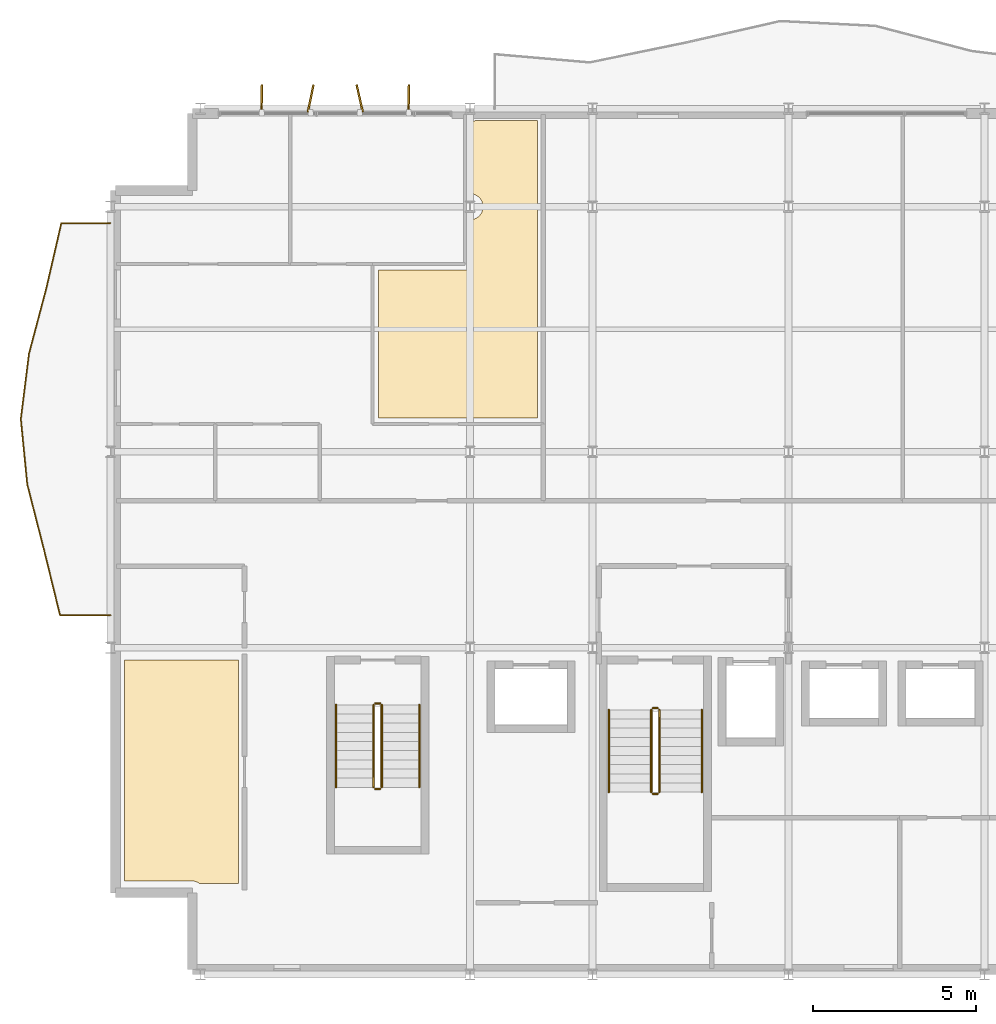
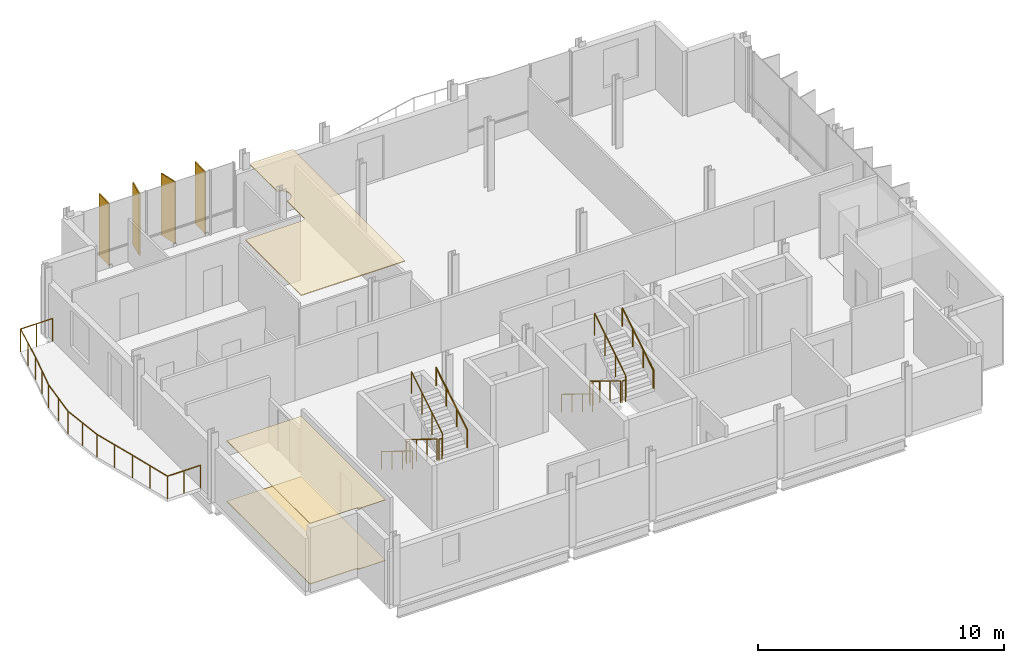
# One storey, part 11 of 12: 13 railings, 4 shading devices, 3 coverings.
"""IFC4 building model written with IfcOpenShell, lengths in metres."""

from ifc_helpers import new_model, si_unit, direction, frame, origin, origin_2d, place, context, subcontext, project, spatial, polyline, rectangle, circle, outline, extrude, material, layer, layer_set, type_object, element, save


model = new_model("IFC4")

# Units and contexts
model_context = context("Model", 3, precision=1e-05, world=origin(), true_north=direction((0.0, 1.0)))
body_context = subcontext(model_context, "Body", "Model", "MODEL_VIEW")
ifc_project = project(units=[si_unit("LENGTHUNIT", "METRE"), si_unit("AREAUNIT", "SQUARE_METRE"), si_unit("VOLUMEUNIT", "CUBIC_METRE"), si_unit("PLANEANGLEUNIT", "RADIAN"), si_unit("MASSUNIT", "GRAM", prefix="KILO")], contexts=[model_context])

# Site, building, storey
site_placement = place(None, origin())
site = spatial("IfcSite", under=ifc_project, at=site_placement, CompositionType="ELEMENT")
building_placement = place(site_placement, origin())
building = spatial("IfcBuilding", under=site, at=building_placement, Name="Brevholm Reach", CompositionType="ELEMENT")
storey_placement = place(building_placement, frame((0.0, 0.0, 236.60009765625)))
storey = spatial("IfcBuildingStorey", under=building, at=storey_placement, Name="L72", CompositionType="ELEMENT", Elevation=236.60009765625)

# Coverings
ifc_material_1 = material(Name="Perforated Mineral-Fibre Class-A Acoustic Suspended Ceiling", Category="gypsum")
ifc_layer_1 = layer(ifc_material_1, 0.044921875)
ifc_layer_set_1 = layer_set([ifc_layer_1], Name="Perforated Mineral-Fibre Class-A Acoustic Suspended Ceiling")
covering_type_1 = type_object("IfcCoveringType", Name="COV-CLG-AC", PredefinedType="CEILING", material=ifc_layer_set_1)
covering_1_placement = place(storey_placement, frame((0.0, 0.0, 2.98486328125)))
element("IfcCovering", 1, at=covering_1_placement, inside=storey, type_object=covering_type_1, Name="L72 Suspended Ceiling L72-26", PredefinedType="CEILING", context=body_context, shape_type="SweptSolid", body=[
    extrude(outline(polyline([(35.447021484375, 17.030029296875), (35.447021484375, 21.566162109375), (38.1025390625, 21.56689453125), (38.1201171875, 21.56787109375), (38.1376953125, 21.5703125), (38.15478515625, 21.57470703125), (38.17138671875, 21.58056640625), (38.1875, 21.588134765625), (38.202392578125, 21.59716796875), (38.216796875, 21.60791015625), (38.229736328125, 21.61962890625), (38.24169921875, 21.6328125), (38.252197265625, 21.64697265625), (38.26123046875, 21.662109375), (38.268798828125, 21.677978515625), (38.274658203125, 21.694580078125), (38.279052734375, 21.711669921875), (38.281494140625, 21.729248046875), (38.282470703125, 21.746826171875), (38.282958984375, 23.1015625), (38.289306640625, 23.101806640625), (38.327880859375, 23.107666015625), (38.3662109375, 23.1171875), (38.403076171875, 23.13037109375), (38.438720703125, 23.147216796875), (38.47216796875, 23.16748046875), (38.50390625, 23.19091796875), (38.53271484375, 23.21728515625), (38.55908203125, 23.24609375), (38.58251953125, 23.27783203125), (38.602783203125, 23.311279296875), (38.61962890625, 23.346923828125), (38.6328125, 23.3837890625), (38.642333984375, 23.422119140625), (38.648193359375, 23.460693359375), (38.64990234375, 23.5), (38.648193359375, 23.539306640625), (38.642333984375, 23.577880859375), (38.6328125, 23.6162109375), (38.61962890625, 23.653076171875), (38.602783203125, 23.688720703125), (38.58251953125, 23.72216796875), (38.55908203125, 23.75390625), (38.53271484375, 23.78271484375), (38.50390625, 23.80908203125), (38.47216796875, 23.83251953125), (38.438720703125, 23.852783203125), (38.403076171875, 23.86962890625), (38.3662109375, 23.8828125), (38.327880859375, 23.892333984375), (38.289306640625, 23.898193359375), (38.283203125, 23.8984375), (38.283935546875, 26.101806640625), (38.289306640625, 26.101806640625), (38.327880859375, 26.107666015625), (38.3662109375, 26.1171875), (38.403076171875, 26.13037109375), (38.42333984375, 26.139892578125), (40.320068359375, 26.139892578125), (40.320068359375, 17.030029296875), (35.447021484375, 17.030029296875)])), origin(), (0.0, 0.0, 1.0), 0.044921875),
])
ifc_material_2 = material(Name="Moisture-Resistant Skimmed Gypsum Plasterboard Ceiling", Category="gypsum")
ifc_layer_2 = layer(ifc_material_2, 0.030029296875)
ifc_layer_set_2 = layer_set([ifc_layer_2], Name="Moisture-Resistant Skimmed Gypsum Plasterboard Ceiling")
covering_type_2 = type_object("IfcCoveringType", Name="COV-CLG-GYP", PredefinedType="CEILING", material=ifc_layer_set_2)
covering_2_placement = place(storey_placement, frame((0.0, 0.0, 3.0)))
element("IfcCovering", 2, at=covering_2_placement, inside=storey, type_object=covering_type_2, Name="L72 Suspended Ceiling L72-11", PredefinedType="CEILING", context=body_context, shape_type="SweptSolid", body=[
    extrude(outline(polyline([(31.166015625, 9.6201171875), (31.166015625, 2.780029296875), (29.9736328125, 2.780029296875), (29.94189453125, 2.803466796875), (29.92724609375, 2.81298828125), (29.911865234375, 2.821533203125), (29.8955078125, 2.828125), (29.845703125, 2.845947265625), (29.82470703125, 2.85205078125), (29.802978515625, 2.855712890625), (29.767822265625, 2.859130859375), (29.75, 2.860107421875), (27.679931640625, 2.860107421875), (27.679931640625, 9.6201171875), (31.166015625, 9.6201171875)])), origin(), (0.0, 0.0, 1.0), 0.02978515625),
])
ifc_material_3 = material(Name="Honed Portland-Aggregate Resin Terrazzo Flooring", Category="concrete")
ifc_layer_3 = layer(ifc_material_3, 0.031982421875)
ifc_layer_set_3 = layer_set([ifc_layer_3], Name="Honed Portland-Aggregate Resin Terrazzo Flooring")
covering_type_3 = type_object("IfcCoveringType", Name="COV-FLR-TRZ", PredefinedType="FLOORING", material=ifc_layer_set_3)
covering_3_placement = place(storey_placement, origin())
element("IfcCovering", 3, at=covering_3_placement, inside=storey, type_object=covering_type_3, Name="L72 Floor Finish L72-11", PredefinedType="FLOORING", context=body_context, shape_type="SweptSolid", body=[
    extrude(outline(polyline([(31.166015625, 9.6201171875), (31.166015625, 2.780029296875), (29.9736328125, 2.780029296875), (29.94189453125, 2.803466796875), (29.92724609375, 2.81298828125), (29.911865234375, 2.821533203125), (29.8955078125, 2.828125), (29.845703125, 2.845947265625), (29.82470703125, 2.85205078125), (29.802978515625, 2.855712890625), (29.767822265625, 2.859130859375), (29.75, 2.860107421875), (27.679931640625, 2.860107421875), (27.679931640625, 9.6201171875), (31.166015625, 9.6201171875)])), origin(), (0.0, 0.0, 1.0), 0.031982421875),
])

# Railings
ifc_material_4 = material(Name="Brushed Stainless Steel EN 1.4401 and Laminated Glass", Category="steel")
railing_type_1 = type_object("IfcRailingType", Name="RAL-BALC-1150", PredefinedType="BALUSTRADE", material=ifc_material_4)
railing_1_placement = place(storey_placement, frame((27.25, 23.0, 0.0)))
element("IfcRailing", 4, at=railing_1_placement, inside=storey, type_object=railing_type_1, Name="L72 Guard Balustrade RAL-L72-BAL-SLOT", PredefinedType="BALUSTRADE", context=body_context, shape_type="SweptSolid", body=[
    extrude(circle(Radius=0.02392578125, at=origin_2d()), frame((0.0, 0.0, 1.1259765625), z_axis=(-1.0, 0.0, 0.0), x_axis=(0.0, -1.0, 0.0)), (0.0, 0.0, 1.0), 1.5087890625),
    extrude(circle(Radius=0.02392578125, at=origin_2d()), frame((-1.5087890625, 0.0, 1.1259765625), z_axis=(-0.224468540195, -0.974481336129, 0.0), x_axis=(0.974481336129, -0.224468540195, 0.0)), (0.0, 0.0, 1.0), 2.052490234375),
    extrude(circle(Radius=0.02392578125, at=origin_2d()), frame((-1.969482421875, -2.0, 1.1259765625), z_axis=(-0.256281717568, -0.966602131821, 0.0), x_axis=(0.966602131821, -0.256281717568, 0.0)), (0.0, 0.0, 1.0), 2.069091796875),
    extrude(circle(Radius=0.02392578125, at=origin_2d()), frame((-2.499755859375, -4.0, 1.1259765625), z_axis=(-0.123676917918, -0.992322538278, 0.0), x_axis=(0.992322538278, -0.123676917918, 0.0)), (0.0, 0.0, 1.0), 2.015380859375),
    extrude(circle(Radius=0.02392578125, at=origin_2d()), frame((-2.7490234375, -6.0, 1.1259765625), z_axis=(0.097915884232, -0.995194694326, 0.0), x_axis=(0.995194694326, 0.097915884232, 0.0)), (0.0, 0.0, 1.0), 2.009765625),
    extrude(circle(Radius=0.02392578125, at=origin_2d()), frame((-2.55224609375, -8.0, 1.1259765625), z_axis=(0.248207490856, -0.968706891419, 0.0), x_axis=(0.968706891419, 0.248207490856, 0.0)), (0.0, 0.0, 1.0), 2.064697265625),
    extrude(circle(Radius=0.02392578125, at=origin_2d()), frame((-2.039794921875, -10.0, 1.1259765625), z_axis=(0.237734036491, -0.971330287747, 0.0), x_axis=(0.971330287747, 0.237734036491, 0.0)), (0.0, 0.0, 1.0), 2.05908203125),
    extrude(circle(Radius=0.02392578125, at=origin_2d()), frame((-1.55029296875, -12.0, 1.1259765625), z_axis=(1.0, 0.0, 0.0), x_axis=(0.0, 1.0, 0.0)), (0.0, 0.0, 1.0), 1.55029296875),
    extrude(circle(Radius=0.02099609375, at=origin_2d()), origin(), (0.0, 0.0, 1.0), 1.101806640625),
    extrude(circle(Radius=0.02099609375, at=origin_2d()), frame((-0.75439453125, 0.0, 0.0)), (0.0, 0.0, 1.0), 1.101806640625),
    extrude(circle(Radius=0.02099609375, at=origin_2d()), frame((-1.5087890625, 0.0, 0.0)), (0.0, 0.0, 1.0), 1.101806640625),
    extrude(circle(Radius=0.02099609375, at=origin_2d()), frame((-1.7392578125, -1.0, 0.0)), (0.0, 0.0, 1.0), 1.101806640625),
    extrude(circle(Radius=0.02099609375, at=origin_2d()), frame((-1.969482421875, -2.0, 0.0)), (0.0, 0.0, 1.0), 1.101806640625),
    extrude(circle(Radius=0.02099609375, at=origin_2d()), frame((-2.234619140625, -3.0, 0.0)), (0.0, 0.0, 1.0), 1.101806640625),
    extrude(circle(Radius=0.02099609375, at=origin_2d()), frame((-2.499755859375, -4.0, 0.0)), (0.0, 0.0, 1.0), 1.101806640625),
    extrude(circle(Radius=0.02099609375, at=origin_2d()), frame((-2.62451171875, -5.0, 0.0)), (0.0, 0.0, 1.0), 1.101806640625),
    extrude(circle(Radius=0.02099609375, at=origin_2d()), frame((-2.7490234375, -6.0, 0.0)), (0.0, 0.0, 1.0), 1.101806640625),
    extrude(circle(Radius=0.02099609375, at=origin_2d()), frame((-2.650634765625, -7.0, 0.0)), (0.0, 0.0, 1.0), 1.101806640625),
    extrude(circle(Radius=0.02099609375, at=origin_2d()), frame((-2.55224609375, -8.0, 0.0)), (0.0, 0.0, 1.0), 1.101806640625),
    extrude(circle(Radius=0.02099609375, at=origin_2d()), frame((-2.2958984375, -9.0, 0.0)), (0.0, 0.0, 1.0), 1.101806640625),
    extrude(circle(Radius=0.02099609375, at=origin_2d()), frame((-2.039794921875, -10.0, 0.0)), (0.0, 0.0, 1.0), 1.101806640625),
    extrude(circle(Radius=0.02099609375, at=origin_2d()), frame((-1.794921875, -11.0, 0.0)), (0.0, 0.0, 1.0), 1.101806640625),
    extrude(circle(Radius=0.02099609375, at=origin_2d()), frame((-1.55029296875, -12.0, 0.0)), (0.0, 0.0, 1.0), 1.101806640625),
    extrude(circle(Radius=0.02099609375, at=origin_2d()), frame((-0.775146484375, -12.0, 0.0)), (0.0, 0.0, 1.0), 1.101806640625),
    extrude(circle(Radius=0.02099609375, at=origin_2d()), frame((0.0, -12.0, 0.0)), (0.0, 0.0, 1.0), 1.101806640625),
])
ifc_material_5 = material(Name="Brushed Stainless Steel EN 1.4401 Continuous Handrail", Category="steel")
railing_type_2 = type_object("IfcRailingType", Name="RAL-HND-950", PredefinedType="HANDRAIL", material=ifc_material_5)
railing_2_placement = place(storey_placement, frame((42.5, 8.10009765625, 0.17236328125)))
element("IfcRailing", 5, at=railing_2_placement, inside=storey, type_object=railing_type_2, Name="L72 ST-2 stair handrail 1", PredefinedType="HANDRAIL", context=body_context, shape_type="SweptSolid", body=[
    extrude(circle(Radius=0.02392578125, at=origin_2d()), frame((0.0, 0.0, 0.8857421875), z_axis=(0.0, -0.851400495292, 0.524516154772), x_axis=(1.0, 0.0, 0.0)), (0.0, 0.0, 1.0), 2.9599609375),
    extrude(circle(Radius=0.02099609375, at=origin_2d()), origin(), (0.0, 0.0, 1.0), 0.86181640625),
    extrude(circle(Radius=0.02099609375, at=origin_2d()), frame((0.0, -0.840087890625, 0.517578125)), (0.0, 0.0, 1.0), 0.86181640625),
    extrude(circle(Radius=0.02099609375, at=origin_2d()), frame((0.0, -1.679931640625, 1.034912109375)), (0.0, 0.0, 1.0), 0.86181640625),
    extrude(circle(Radius=0.02099609375, at=origin_2d()), frame((0.0, -2.52001953125, 1.552490234375)), (0.0, 0.0, 1.0), 0.86181640625),
])
railing_3_placement = place(storey_placement, frame((45.35009765625, 5.580078125, 1.8974609375)))
element("IfcRailing", 6, at=railing_3_placement, inside=storey, type_object=railing_type_2, Name="L72 ST-2 stair handrail 2", PredefinedType="HANDRAIL", context=body_context, shape_type="SweptSolid", body=[
    extrude(circle(Radius=0.02392578125, at=origin_2d()), frame((0.0, 0.0, 0.8857421875), z_axis=(0.0, 0.851400495292, 0.524516154772), x_axis=(-1.0, 0.0, 0.0)), (0.0, 0.0, 1.0), 2.9599609375),
    extrude(circle(Radius=0.02099609375, at=origin_2d()), origin(), (0.0, 0.0, 1.0), 0.86181640625),
    extrude(circle(Radius=0.02099609375, at=origin_2d()), frame((0.0, 0.840087890625, 0.517578125)), (0.0, 0.0, 1.0), 0.86181640625),
    extrude(circle(Radius=0.02099609375, at=origin_2d()), frame((0.0, 1.679931640625, 1.034912109375)), (0.0, 0.0, 1.0), 0.86181640625),
    extrude(circle(Radius=0.02099609375, at=origin_2d()), frame((0.0, 2.52001953125, 1.552490234375)), (0.0, 0.0, 1.0), 0.86181640625),
])
railing_4_placement = place(storey_placement, frame((34.14990234375, 8.25, 0.17236328125)))
element("IfcRailing", 7, at=railing_4_placement, inside=storey, type_object=railing_type_2, Name="L72 ST-3 stair handrail 1", PredefinedType="HANDRAIL", context=body_context, shape_type="SweptSolid", body=[
    extrude(circle(Radius=0.02392578125, at=origin_2d()), frame((0.0, 0.0, 0.8857421875), z_axis=(0.0, -0.851400495292, 0.524516154772), x_axis=(1.0, 0.0, 0.0)), (0.0, 0.0, 1.0), 2.9599609375),
    extrude(circle(Radius=0.02099609375, at=origin_2d()), origin(), (0.0, 0.0, 1.0), 0.86181640625),
    extrude(circle(Radius=0.02099609375, at=origin_2d()), frame((0.0, -0.840087890625, 0.517578125)), (0.0, 0.0, 1.0), 0.86181640625),
    extrude(circle(Radius=0.02099609375, at=origin_2d()), frame((0.0, -1.679931640625, 1.034912109375)), (0.0, 0.0, 1.0), 0.86181640625),
    extrude(circle(Radius=0.02099609375, at=origin_2d()), frame((0.0, -2.52001953125, 1.552490234375)), (0.0, 0.0, 1.0), 0.86181640625),
])
railing_5_placement = place(storey_placement, frame((36.699951171875, 5.72998046875, 1.8974609375)))
element("IfcRailing", 8, at=railing_5_placement, inside=storey, type_object=railing_type_2, Name="L72 ST-3 stair handrail 2", PredefinedType="HANDRAIL", context=body_context, shape_type="SweptSolid", body=[
    extrude(circle(Radius=0.02392578125, at=origin_2d()), frame((0.0, 0.0, 0.8857421875), z_axis=(0.0, 0.851400495292, 0.524516154772), x_axis=(-1.0, 0.0, 0.0)), (0.0, 0.0, 1.0), 2.9599609375),
    extrude(circle(Radius=0.02099609375, at=origin_2d()), origin(), (0.0, 0.0, 1.0), 0.86181640625),
    extrude(circle(Radius=0.02099609375, at=origin_2d()), frame((0.0, 0.840087890625, 0.517578125)), (0.0, 0.0, 1.0), 0.86181640625),
    extrude(circle(Radius=0.02099609375, at=origin_2d()), frame((0.0, 1.679931640625, 1.034912109375)), (0.0, 0.0, 1.0), 0.86181640625),
    extrude(circle(Radius=0.02099609375, at=origin_2d()), frame((0.0, 2.52001953125, 1.552490234375)), (0.0, 0.0, 1.0), 0.86181640625),
])
ifc_material_6 = material(Name="Painted Tubular Galvanised Steel S275JR Stair Guard", Category="steel")
railing_type_3 = type_object("IfcRailingType", Name="RAL-STG-1120", PredefinedType="BALUSTRADE", material=ifc_material_6)
railing_6_placement = place(storey_placement, frame((43.800048828125, 8.10009765625, 0.17236328125)))
element("IfcRailing", 9, at=railing_6_placement, inside=storey, type_object=railing_type_3, Name="L72 ST-2 stair guard 1", PredefinedType="BALUSTRADE", context=body_context, shape_type="SweptSolid", body=[
    extrude(circle(Radius=0.02392578125, at=origin_2d()), frame((0.0, 0.0, 1.076171875), z_axis=(0.0, -0.851400495292, 0.524516154772), x_axis=(1.0, 0.0, 0.0)), (0.0, 0.0, 1.0), 2.9599609375),
    extrude(circle(Radius=0.02099609375, at=origin_2d()), origin(), (0.0, 0.0, 1.0), 1.052001953125),
    extrude(circle(Radius=0.02099609375, at=origin_2d()), frame((0.0, -0.840087890625, 0.517578125)), (0.0, 0.0, 1.0), 1.052001953125),
    extrude(circle(Radius=0.02099609375, at=origin_2d()), frame((0.0, -1.679931640625, 1.034912109375)), (0.0, 0.0, 1.0), 1.052001953125),
    extrude(circle(Radius=0.02099609375, at=origin_2d()), frame((0.0, -2.52001953125, 1.552490234375)), (0.0, 0.0, 1.0), 1.052001953125),
])
railing_7_placement = place(storey_placement, frame((43.85009765625, 5.530029296875, 1.724853515625)))
element("IfcRailing", 10, at=railing_7_placement, inside=storey, type_object=railing_type_3, Name="L72 ST-2 stair guard 2", PredefinedType="BALUSTRADE", context=body_context, shape_type="SweptSolid", body=[
    extrude(circle(Radius=0.02392578125, at=origin_2d()), frame((0.0, 0.0, 1.076171875), z_axis=(1.0, 0.0, 0.0), x_axis=(0.0, 1.0, 0.0)), (0.0, 0.0, 1.0), 0.14990234375),
    extrude(circle(Radius=0.02099609375, at=origin_2d()), origin(), (0.0, 0.0, 1.0), 1.052001953125),
    extrude(circle(Radius=0.02099609375, at=origin_2d()), frame((0.14990234375, 0.0, 0.0)), (0.0, 0.0, 1.0), 1.052001953125),
])
railing_8_placement = place(storey_placement, frame((44.050048828125, 5.580078125, 1.8974609375)))
element("IfcRailing", 11, at=railing_8_placement, inside=storey, type_object=railing_type_3, Name="L72 ST-2 stair guard 3", PredefinedType="BALUSTRADE", context=body_context, shape_type="SweptSolid", body=[
    extrude(circle(Radius=0.02392578125, at=origin_2d()), frame((0.0, 0.0, 1.076171875), z_axis=(0.0, 0.851400495292, 0.524516154772), x_axis=(-1.0, 0.0, 0.0)), (0.0, 0.0, 1.0), 2.9599609375),
    extrude(circle(Radius=0.02099609375, at=origin_2d()), origin(), (0.0, 0.0, 1.0), 1.052001953125),
    extrude(circle(Radius=0.02099609375, at=origin_2d()), frame((0.0, 0.840087890625, 0.517578125)), (0.0, 0.0, 1.0), 1.052001953125),
    extrude(circle(Radius=0.02099609375, at=origin_2d()), frame((0.0, 1.679931640625, 1.034912109375)), (0.0, 0.0, 1.0), 1.052001953125),
    extrude(circle(Radius=0.02099609375, at=origin_2d()), frame((0.0, 2.52001953125, 1.552490234375)), (0.0, 0.0, 1.0), 1.052001953125),
])
railing_9_placement = place(storey_placement, frame((43.85009765625, 8.14990234375, 0.0)))
element("IfcRailing", 12, at=railing_9_placement, inside=storey, type_object=railing_type_3, Name="L72 ST-2 stair guard 4", PredefinedType="BALUSTRADE", context=body_context, shape_type="SweptSolid", body=[
    extrude(circle(Radius=0.02392578125, at=origin_2d()), frame((0.0, 0.0, 1.076171875), z_axis=(1.0, 0.0, 0.0), x_axis=(0.0, 1.0, 0.0)), (0.0, 0.0, 1.0), 0.14990234375),
    extrude(circle(Radius=0.02099609375, at=origin_2d()), origin(), (0.0, 0.0, 1.0), 1.052001953125),
    extrude(circle(Radius=0.02099609375, at=origin_2d()), frame((0.14990234375, 0.0, 0.0)), (0.0, 0.0, 1.0), 1.052001953125),
])
railing_10_placement = place(storey_placement, frame((35.300048828125, 8.25, 0.17236328125)))
element("IfcRailing", 13, at=railing_10_placement, inside=storey, type_object=railing_type_3, Name="L72 ST-3 stair guard 1", PredefinedType="BALUSTRADE", context=body_context, shape_type="SweptSolid", body=[
    extrude(circle(Radius=0.02392578125, at=origin_2d()), frame((0.0, 0.0, 1.076171875), z_axis=(0.0, -0.851400495292, 0.524516154772), x_axis=(1.0, 0.0, 0.0)), (0.0, 0.0, 1.0), 2.9599609375),
    extrude(circle(Radius=0.02099609375, at=origin_2d()), origin(), (0.0, 0.0, 1.0), 1.052001953125),
    extrude(circle(Radius=0.02099609375, at=origin_2d()), frame((0.0, -0.840087890625, 0.517578125)), (0.0, 0.0, 1.0), 1.052001953125),
    extrude(circle(Radius=0.02099609375, at=origin_2d()), frame((0.0, -1.679931640625, 1.034912109375)), (0.0, 0.0, 1.0), 1.052001953125),
    extrude(circle(Radius=0.02099609375, at=origin_2d()), frame((0.0, -2.52001953125, 1.552490234375)), (0.0, 0.0, 1.0), 1.052001953125),
])
railing_11_placement = place(storey_placement, frame((35.35009765625, 5.679931640625, 1.724853515625)))
element("IfcRailing", 14, at=railing_11_placement, inside=storey, type_object=railing_type_3, Name="L72 ST-3 stair guard 2", PredefinedType="BALUSTRADE", context=body_context, shape_type="SweptSolid", body=[
    extrude(circle(Radius=0.02392578125, at=origin_2d()), frame((0.0, 0.0, 1.076171875), z_axis=(1.0, 0.0, 0.0), x_axis=(0.0, 1.0, 0.0)), (0.0, 0.0, 1.0), 0.14990234375),
    extrude(circle(Radius=0.02099609375, at=origin_2d()), origin(), (0.0, 0.0, 1.0), 1.052001953125),
    extrude(circle(Radius=0.02099609375, at=origin_2d()), frame((0.14990234375, 0.0, 0.0)), (0.0, 0.0, 1.0), 1.052001953125),
])
railing_12_placement = place(storey_placement, frame((35.550048828125, 5.72998046875, 1.8974609375)))
element("IfcRailing", 15, at=railing_12_placement, inside=storey, type_object=railing_type_3, Name="L72 ST-3 stair guard 3", PredefinedType="BALUSTRADE", context=body_context, shape_type="SweptSolid", body=[
    extrude(circle(Radius=0.02392578125, at=origin_2d()), frame((0.0, 0.0, 1.076171875), z_axis=(0.0, 0.851400495292, 0.524516154772), x_axis=(-1.0, 0.0, 0.0)), (0.0, 0.0, 1.0), 2.9599609375),
    extrude(circle(Radius=0.02099609375, at=origin_2d()), origin(), (0.0, 0.0, 1.0), 1.052001953125),
    extrude(circle(Radius=0.02099609375, at=origin_2d()), frame((0.0, 0.840087890625, 0.517578125)), (0.0, 0.0, 1.0), 1.052001953125),
    extrude(circle(Radius=0.02099609375, at=origin_2d()), frame((0.0, 1.679931640625, 1.034912109375)), (0.0, 0.0, 1.0), 1.052001953125),
    extrude(circle(Radius=0.02099609375, at=origin_2d()), frame((0.0, 2.52001953125, 1.552490234375)), (0.0, 0.0, 1.0), 1.052001953125),
])
railing_13_placement = place(storey_placement, frame((35.35009765625, 8.300048828125, 0.0)))
element("IfcRailing", 16, at=railing_13_placement, inside=storey, type_object=railing_type_3, Name="L72 ST-3 stair guard 4", PredefinedType="BALUSTRADE", context=body_context, shape_type="SweptSolid", body=[
    extrude(circle(Radius=0.02392578125, at=origin_2d()), frame((0.0, 0.0, 1.076171875), z_axis=(1.0, 0.0, 0.0), x_axis=(0.0, 1.0, 0.0)), (0.0, 0.0, 1.0), 0.14990234375),
    extrude(circle(Radius=0.02099609375, at=origin_2d()), origin(), (0.0, 0.0, 1.0), 1.052001953125),
    extrude(circle(Radius=0.02099609375, at=origin_2d()), frame((0.14990234375, 0.0, 0.0)), (0.0, 0.0, 1.0), 1.052001953125),
])

# Shading devices
ifc_material_7 = material(Name="Perforated Champagne-Bronze Anodised Aluminium", Category="aluminium")
ifc_layer_4 = layer(ifc_material_7, 0.054931640625)
ifc_layer_set_4 = layer_set([ifc_layer_4], Name="Perforated Champagne-Bronze Anodised Aluminium")
shading_device_type = type_object("IfcShadingDeviceType", Name="SHD-FIN-850", PredefinedType="USERDEFINED", material=ifc_layer_set_4)
for number, where, z_axis, x_axis, name in (
    (17, (31.875, 26.81494140625, 0.06982421875), (0.0, 0.0, 1.0), (0.016422809943, 0.999865136563, 0.0), "L72 Perforated Solar Screen Fin 1"),
    (18, (33.375, 26.81494140625, 0.06982421875), (0.0, 0.0, 1.0), (0.201522417575, 0.979483902479, 0.0), "L72 Perforated Solar Screen Fin 2"),
    (19, (34.875, 26.81494140625, 0.06982421875), (0.0, 0.0, 1.0), (-0.217581117542, 0.97604224155, 0.0), "L72 Perforated Solar Screen Fin 3"),
    (20, (36.375, 26.81494140625, 0.06982421875), (0.0, 0.0, 1.0), (0.016422809943, 0.999865136563, 0.0), "L72 Perforated Solar Screen Fin 4"),
):
    element("IfcShadingDevice", number, at=place(storey_placement, frame(where, z_axis=z_axis, x_axis=x_axis)), inside=storey, type_object=shading_device_type, Name=name, ObjectType="SCREEN", PredefinedType="USERDEFINED", context=body_context, shape_type="SweptSolid", body=[
        extrude(rectangle(XDim=0.85009765625, YDim=0.054931640625, at=origin_2d()), origin(), (0.0, 0.0, 1.0), 3.06005859375),
    ])

save(model, "model.ifc")
